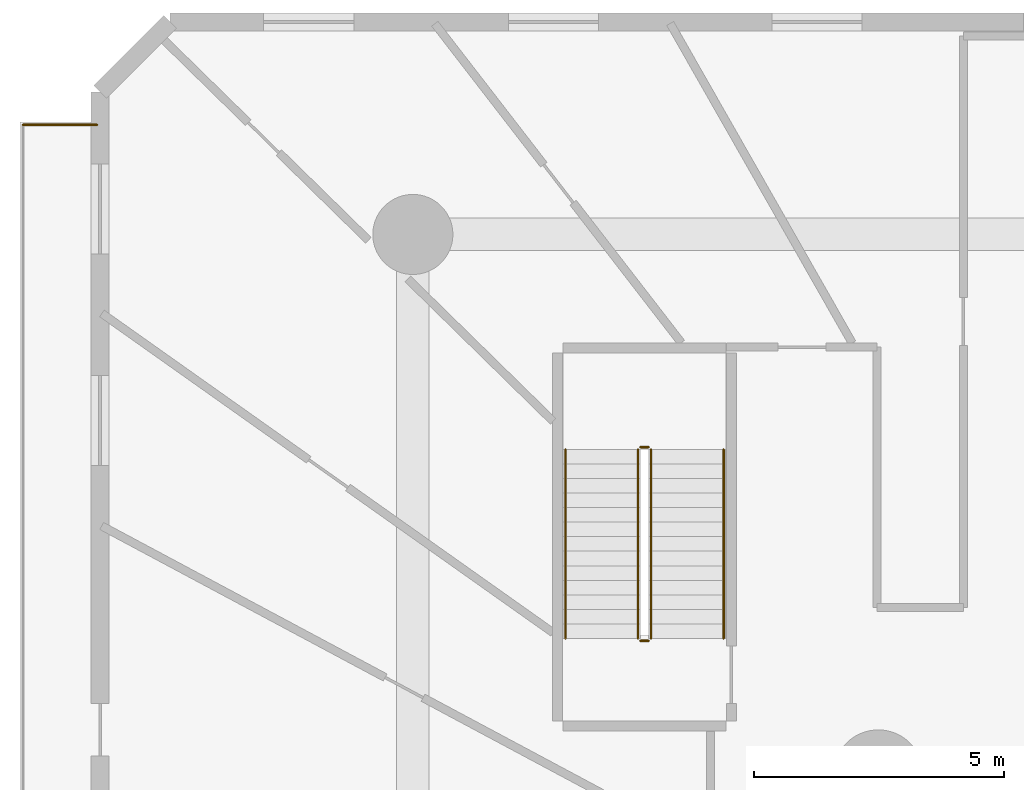
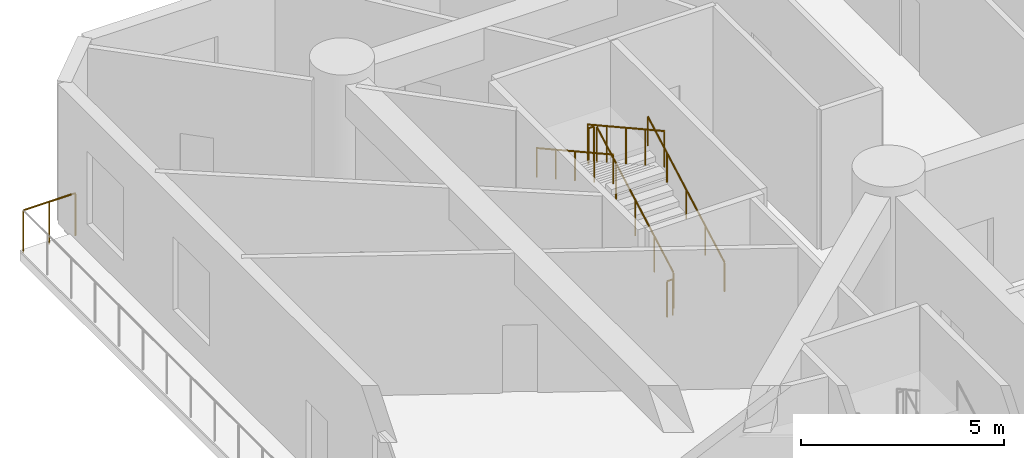
# One storey, part 24 of 26: 7 railings.
"""IFC4 building model written with IfcOpenShell, lengths in metres."""

from ifc_helpers import new_model, si_unit, direction, frame, origin, origin_2d, place, context, subcontext, project, spatial, circle, extrude, material, layer, layer_set, type_object, element, save


model = new_model("IFC4")

# Units and contexts
model_context = context("Model", 3, precision=1e-05, world=origin(), true_north=direction((0.0, 1.0)))
body_context = subcontext(model_context, "Body", "Model", "MODEL_VIEW")
ifc_project = project(units=[si_unit("LENGTHUNIT", "METRE"), si_unit("AREAUNIT", "SQUARE_METRE"), si_unit("VOLUMEUNIT", "CUBIC_METRE"), si_unit("PLANEANGLEUNIT", "RADIAN"), si_unit("MASSUNIT", "GRAM", prefix="KILO")], contexts=[model_context])

# Site, building, storey
site_placement = place(None, origin())
site = spatial("IfcSite", under=ifc_project, at=site_placement, CompositionType="ELEMENT")
building_placement = place(site_placement, origin())
building = spatial("IfcBuilding", under=site, at=building_placement, Name="Karkom Vertical University and Central Library", CompositionType="ELEMENT")
storey_placement = place(building_placement, frame((0.0, 0.0, 9.0)))
storey = spatial("IfcBuildingStorey", under=building, at=storey_placement, Name="L02", CompositionType="ELEMENT", Elevation=9.0)

# Railings
ifc_material_1 = material(Name="Architectural painted steel & laminated glass balustrade", Category="steel")
ifc_layer_1 = layer(ifc_material_1, 0.090087890625)
ifc_layer_set_1 = layer_set([ifc_layer_1], Name="Architectural painted steel & laminated glass balustrade")
railing_type_1 = type_object("IfcRailingType", Name="ENV-RL-BAL1300", PredefinedType="BALUSTRADE", material=ifc_layer_set_1)
railing_1_placement = place(storey_placement, frame((2.409912109375, 47.68994140625, 0.0)))
element("IfcRailing", 1, at=railing_1_placement, inside=storey, type_object=railing_type_1, Name="Level 02 Planted Terrace Safety Balustrade 02", PredefinedType="BALUSTRADE", context=body_context, shape_type="SweptSolid", body=[
    extrude(circle(Radius=0.02392578125, at=origin_2d()), frame((0.0, 0.0, 1.27587890625), z_axis=(1.0, 0.0, 0.0), x_axis=(0.0, 1.0, 0.0)), (0.0, 0.0, 1.0), 1.47998046875),
    extrude(circle(Radius=0.02099609375, at=origin_2d()), origin(), (0.0, 0.0, 1.0), 1.251953125),
    extrude(circle(Radius=0.02099609375, at=origin_2d()), frame((0.739990234375, 0.0, 0.0)), (0.0, 0.0, 1.0), 1.251953125),
    extrude(circle(Radius=0.02099609375, at=origin_2d()), frame((1.47998046875, 0.0, 0.0)), (0.0, 0.0, 1.0), 1.251953125),
])
ifc_material_2 = material(Name="Painted galvanised steel balustrade", Category="steel")
ifc_layer_2 = layer(ifc_material_2, 0.06005859375)
ifc_layer_set_2 = layer_set([ifc_layer_2], Name="Painted galvanised steel balustrade")
railing_type_2 = type_object("IfcRailingType", Name="INT-RL-GUARD1100", PredefinedType="GUARDRAIL", material=ifc_layer_set_2)
railing_2_placement = place(storey_placement, frame((14.9599609375, 37.429931640625, 0.16064453125)))
element("IfcRailing", 2, at=railing_2_placement, inside=storey, type_object=railing_type_2, Name="Level 02 POD-ST2 stair guard 1", PredefinedType="GUARDRAIL", context=body_context, shape_type="SweptSolid", body=[
    extrude(circle(Radius=0.02392578125, at=origin_2d()), frame((0.0, 0.0, 1.076171875), z_axis=(0.0, 0.874659101714, 0.484738543742), x_axis=(-1.0, 0.0, 0.0)), (0.0, 0.0, 1.0), 4.310302734375),
    extrude(circle(Radius=0.02099609375, at=origin_2d()), origin(), (0.0, 0.0, 1.0), 1.052001953125),
    extrude(circle(Radius=0.02099609375, at=origin_2d()), frame((0.0, 0.9423828125, 0.5224609375)), (0.0, 0.0, 1.0), 1.052001953125),
    extrude(circle(Radius=0.02099609375, at=origin_2d()), frame((0.0, 1.885009765625, 1.044677734375)), (0.0, 0.0, 1.0), 1.052001953125),
    extrude(circle(Radius=0.02099609375, at=origin_2d()), frame((0.0, 2.82763671875, 1.56689453125)), (0.0, 0.0, 1.0), 1.052001953125),
    extrude(circle(Radius=0.02099609375, at=origin_2d()), frame((0.0, 3.77001953125, 2.08935546875)), (0.0, 0.0, 1.0), 1.052001953125),
])
railing_3_placement = place(storey_placement, frame((14.909912109375, 41.25, 2.25)))
element("IfcRailing", 3, at=railing_3_placement, inside=storey, type_object=railing_type_2, Name="Level 02 POD-ST2 stair guard 2", PredefinedType="GUARDRAIL", context=body_context, shape_type="SweptSolid", body=[
    extrude(circle(Radius=0.02392578125, at=origin_2d()), frame((0.0, 0.0, 1.076171875), z_axis=(-1.0, 0.0, 0.0), x_axis=(0.0, -1.0, 0.0)), (0.0, 0.0, 1.0), 0.159912109375),
    extrude(circle(Radius=0.02099609375, at=origin_2d()), origin(), (0.0, 0.0, 1.0), 1.052001953125),
    extrude(circle(Radius=0.02099609375, at=origin_2d()), frame((-0.159912109375, 0.0, 0.0)), (0.0, 0.0, 1.0), 1.052001953125),
])
railing_4_placement = place(storey_placement, frame((14.699951171875, 41.199951171875, 2.41064453125)))
element("IfcRailing", 4, at=railing_4_placement, inside=storey, type_object=railing_type_2, Name="Level 02 POD-ST2 stair guard 3", PredefinedType="GUARDRAIL", context=body_context, shape_type="SweptSolid", body=[
    extrude(circle(Radius=0.02392578125, at=origin_2d()), frame((0.0, 0.0, 1.076171875), z_axis=(0.0, -0.874659101714, 0.484738543742), x_axis=(1.0, 0.0, 0.0)), (0.0, 0.0, 1.0), 4.310302734375),
    extrude(circle(Radius=0.02099609375, at=origin_2d()), origin(), (0.0, 0.0, 1.0), 1.052001953125),
    extrude(circle(Radius=0.02099609375, at=origin_2d()), frame((0.0, -0.9423828125, 0.5224609375)), (0.0, 0.0, 1.0), 1.052001953125),
    extrude(circle(Radius=0.02099609375, at=origin_2d()), frame((0.0, -1.885009765625, 1.044677734375)), (0.0, 0.0, 1.0), 1.052001953125),
    extrude(circle(Radius=0.02099609375, at=origin_2d()), frame((0.0, -2.82763671875, 1.56689453125)), (0.0, 0.0, 1.0), 1.052001953125),
    extrude(circle(Radius=0.02099609375, at=origin_2d()), frame((0.0, -3.77001953125, 2.08935546875)), (0.0, 0.0, 1.0), 1.052001953125),
])
railing_5_placement = place(storey_placement, frame((14.909912109375, 37.3798828125, 0.0)))
element("IfcRailing", 5, at=railing_5_placement, inside=storey, type_object=railing_type_2, Name="Level 02 POD-ST2 stair guard 4", PredefinedType="GUARDRAIL", context=body_context, shape_type="SweptSolid", body=[
    extrude(circle(Radius=0.02392578125, at=origin_2d()), frame((0.0, 0.0, 1.076171875), z_axis=(-1.0, 0.0, 0.0), x_axis=(0.0, -1.0, 0.0)), (0.0, 0.0, 1.0), 0.159912109375),
    extrude(circle(Radius=0.02099609375, at=origin_2d()), origin(), (0.0, 0.0, 1.0), 1.052001953125),
    extrude(circle(Radius=0.02099609375, at=origin_2d()), frame((-0.159912109375, 0.0, 0.0)), (0.0, 0.0, 1.0), 1.052001953125),
])
ifc_material_3 = material(Name="Brushed stainless-steel tubular handrail", Category="steel")
ifc_layer_3 = layer(ifc_material_3, 0.048095703125)
ifc_layer_set_3 = layer_set([ifc_layer_3], Name="Brushed stainless-steel tubular handrail")
railing_type_3 = type_object("IfcRailingType", Name="INT-RL-HAND920", PredefinedType="HANDRAIL", material=ifc_layer_set_3)
railing_6_placement = place(storey_placement, frame((16.409912109375, 37.429931640625, 0.16064453125)))
element("IfcRailing", 6, at=railing_6_placement, inside=storey, type_object=railing_type_3, Name="Level 02 POD-ST2 stair handrail 1", PredefinedType="HANDRAIL", context=body_context, shape_type="SweptSolid", body=[
    extrude(circle(Radius=0.02392578125, at=origin_2d()), frame((0.0, 0.0, 0.8759765625), z_axis=(0.0, 0.874659101714, 0.484738543742), x_axis=(-1.0, 0.0, 0.0)), (0.0, 0.0, 1.0), 4.310302734375),
    extrude(circle(Radius=0.02099609375, at=origin_2d()), origin(), (0.0, 0.0, 1.0), 0.851806640625),
    extrude(circle(Radius=0.02099609375, at=origin_2d()), frame((0.0, 0.9423828125, 0.5224609375)), (0.0, 0.0, 1.0), 0.851806640625),
    extrude(circle(Radius=0.02099609375, at=origin_2d()), frame((0.0, 1.885009765625, 1.044677734375)), (0.0, 0.0, 1.0), 0.851806640625),
    extrude(circle(Radius=0.02099609375, at=origin_2d()), frame((0.0, 2.82763671875, 1.56689453125)), (0.0, 0.0, 1.0), 0.851806640625),
    extrude(circle(Radius=0.02099609375, at=origin_2d()), frame((0.0, 3.77001953125, 2.08935546875)), (0.0, 0.0, 1.0), 0.851806640625),
])
railing_7_placement = place(storey_placement, frame((13.25, 41.199951171875, 2.41064453125)))
element("IfcRailing", 7, at=railing_7_placement, inside=storey, type_object=railing_type_3, Name="Level 02 POD-ST2 stair handrail 2", PredefinedType="HANDRAIL", context=body_context, shape_type="SweptSolid", body=[
    extrude(circle(Radius=0.02392578125, at=origin_2d()), frame((0.0, 0.0, 0.8759765625), z_axis=(0.0, -0.874659101714, 0.484738543742), x_axis=(1.0, 0.0, 0.0)), (0.0, 0.0, 1.0), 4.310302734375),
    extrude(circle(Radius=0.02099609375, at=origin_2d()), origin(), (0.0, 0.0, 1.0), 0.851806640625),
    extrude(circle(Radius=0.02099609375, at=origin_2d()), frame((0.0, -0.9423828125, 0.5224609375)), (0.0, 0.0, 1.0), 0.851806640625),
    extrude(circle(Radius=0.02099609375, at=origin_2d()), frame((0.0, -1.885009765625, 1.044677734375)), (0.0, 0.0, 1.0), 0.851806640625),
    extrude(circle(Radius=0.02099609375, at=origin_2d()), frame((0.0, -2.82763671875, 1.56689453125)), (0.0, 0.0, 1.0), 0.851806640625),
    extrude(circle(Radius=0.02099609375, at=origin_2d()), frame((0.0, -3.77001953125, 2.08935546875)), (0.0, 0.0, 1.0), 0.851806640625),
])

save(model, "model.ifc")
